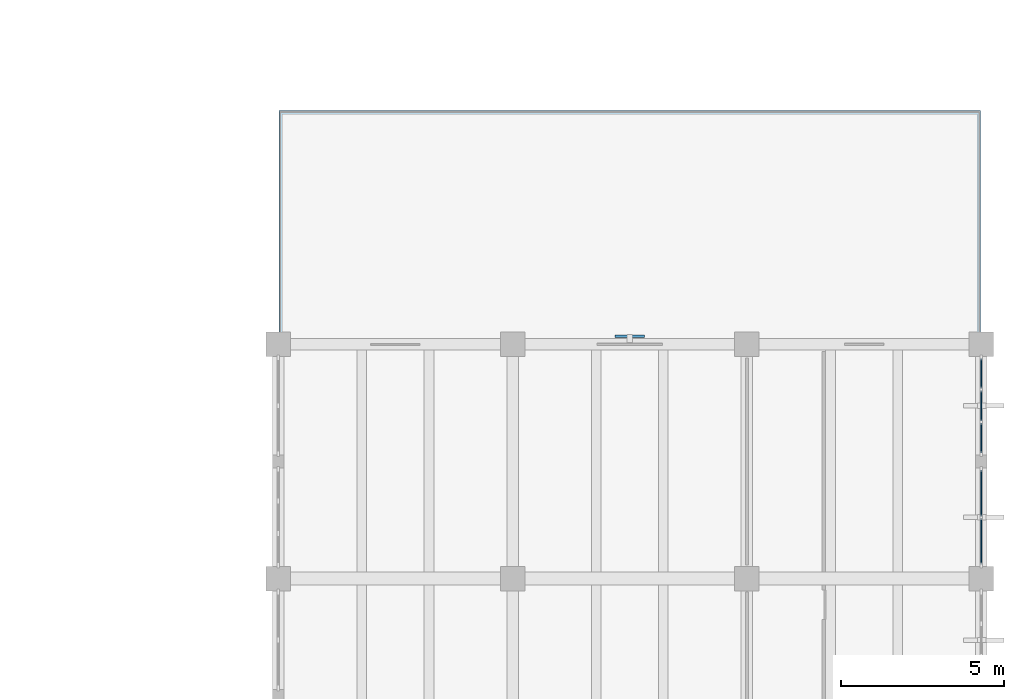
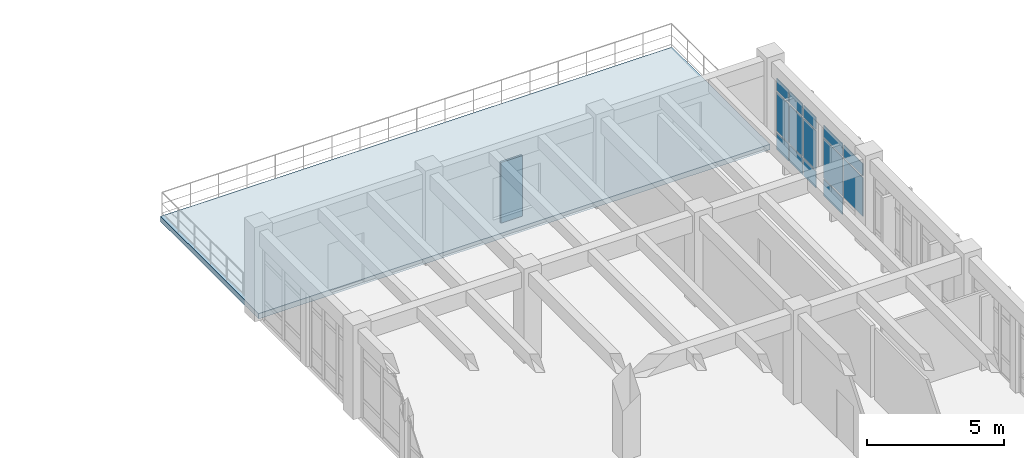
# One storey, part 93 of 136: 15 plates, 1 slab, 2 elements without a shape of their own.
"""IFC4 building model written with IfcOpenShell, lengths in metres."""

from ifc_helpers import new_model, si_unit, direction, frame, origin, origin_2d, place, context, subcontext, project, spatial, polyline, rectangle, outline, extrude, material, layer, layer_set, type_object, element, aggregate, save


model = new_model("IFC4")

# Units and contexts
model_context = context("Model", 3, precision=1e-05, world=origin(), true_north=direction((0.0, 1.0)))
body_context = subcontext(model_context, "Body", "Model", "MODEL_VIEW")
ifc_project = project(units=[si_unit("LENGTHUNIT", "METRE"), si_unit("AREAUNIT", "SQUARE_METRE"), si_unit("VOLUMEUNIT", "CUBIC_METRE"), si_unit("PLANEANGLEUNIT", "RADIAN"), si_unit("MASSUNIT", "GRAM", prefix="KILO")], contexts=[model_context])

# Site, building, storey
site_placement = place(None, origin())
site = spatial("IfcSite", under=ifc_project, at=site_placement, CompositionType="ELEMENT")
building_placement = place(site_placement, origin())
building = spatial("IfcBuilding", under=site, at=building_placement, Name="Koriwan Promenade Central Fire Station", CompositionType="ELEMENT")
storey_placement = place(building_placement, frame((0.0, 0.0, 5.39990234375)))
storey = spatial("IfcBuildingStorey", under=building, at=storey_placement, Name="L01", CompositionType="ELEMENT", Elevation=5.39990234375)

# Curtain wall, plates
ifc_material_1 = material(Name="Aluminium EN AW-6063-T6 and low-E glazing", Category="aluminium")
ifc_layer_1 = layer(ifc_material_1, 0.159912109375, Name="Aluminium EN AW-6063-T6 and low-E glazing")
ifc_layer_set_1 = layer_set([ifc_layer_1], Name="Aluminium EN AW-6063-T6 and low-E glazing")
curtain_wall_type_1 = type_object("IfcCurtainWallType", Name="CurtainWall_71_303x330", PredefinedType="USERDEFINED", material=ifc_layer_set_1)
curtain_wall_1_placement = place(storey_placement, origin())
curtain_wall_1 = element("IfcCurtainWall", 1, at=curtain_wall_1_placement, inside=storey, type_object=curtain_wall_type_1, Name="V5 L01 unitised curtain wall 189", ObjectType="UNITISED CURTAIN WALL", PredefinedType="USERDEFINED")
ifc_material_2 = material(Name="Solar-control low-E acoustic glazing", Category="glass")
ifc_layer_2 = layer(ifc_material_2, 0.031982421875, Name="Solar-control low-E acoustic glazing")
ifc_layer_set_2 = layer_set([ifc_layer_2], Name="Solar-control low-E acoustic glazing")
plate_type_1 = type_object("IfcPlateType", Name="CWPanel_32", PredefinedType="CURTAIN_PANEL", material=ifc_layer_set_2)
plate_1_placement = place(storey_placement, frame((172.800048828125, 71.10205078125, 0.0751953125), z_axis=(0.0, 0.0, 1.0), x_axis=(0.0, -1.0, 0.0)))
plate_1 = element("IfcPlate", 2, at=plate_1_placement, type_object=plate_type_1, Name="CW-71 panel 1.1", PredefinedType="CURTAIN_PANEL", context=body_context, shape_type="SweptSolid", body=[
    extrude(rectangle(XDim=0.895751953125, YDim=0.031982421875, at=origin_2d()), origin(), (0.0, 0.0, 1.0), 0.737548828125),
])
plate_2_placement = place(storey_placement, frame((172.800048828125, 71.10205078125, 0.887451171875), z_axis=(0.0, 0.0, 1.0), x_axis=(0.0, -1.0, 0.0)))
plate_2 = element("IfcPlate", 3, at=plate_2_placement, type_object=plate_type_1, Name="CW-71 panel 1.2", PredefinedType="CURTAIN_PANEL", context=body_context, shape_type="SweptSolid", body=[
    extrude(rectangle(XDim=0.895751953125, YDim=0.031982421875, at=origin_2d()), origin(), (0.0, 0.0, 1.0), 1.72509765625),
])
plate_3_placement = place(storey_placement, frame((172.800048828125, 71.10205078125, 2.6875), z_axis=(0.0, 0.0, 1.0), x_axis=(0.0, -1.0, 0.0)))
plate_3 = element("IfcPlate", 4, at=plate_3_placement, type_object=plate_type_1, Name="CW-71 panel 1.3", PredefinedType="CURTAIN_PANEL", context=body_context, shape_type="SweptSolid", body=[
    extrude(rectangle(XDim=0.895751953125, YDim=0.031982421875, at=origin_2d()), origin(), (0.0, 0.0, 1.0), 0.53759765625),
])
plate_4_placement = place(storey_placement, frame((172.800048828125, 70.112548828125, 0.0751953125), z_axis=(0.0, 0.0, 1.0), x_axis=(0.0, -1.0, 0.0)))
plate_4 = element("IfcPlate", 5, at=plate_4_placement, type_object=plate_type_1, Name="CW-71 panel 2.1", PredefinedType="CURTAIN_PANEL", context=body_context, shape_type="SweptSolid", body=[
    extrude(rectangle(XDim=0.933349609375, YDim=0.031982421875, at=origin_2d()), origin(), (0.0, 0.0, 1.0), 0.737548828125),
])
plate_5_placement = place(storey_placement, frame((172.800048828125, 70.112548828125, 0.887451171875), z_axis=(0.0, 0.0, 1.0), x_axis=(0.0, -1.0, 0.0)))
plate_5 = element("IfcPlate", 6, at=plate_5_placement, type_object=plate_type_1, Name="CW-71 panel 2.2", PredefinedType="CURTAIN_PANEL", context=body_context, shape_type="SweptSolid", body=[
    extrude(rectangle(XDim=0.933349609375, YDim=0.031982421875, at=origin_2d()), origin(), (0.0, 0.0, 1.0), 1.72509765625),
])
plate_6_placement = place(storey_placement, frame((172.800048828125, 70.112548828125, 2.6875), z_axis=(0.0, 0.0, 1.0), x_axis=(0.0, -1.0, 0.0)))
plate_6 = element("IfcPlate", 7, at=plate_6_placement, type_object=plate_type_1, Name="CW-71 panel 2.3", PredefinedType="CURTAIN_PANEL", context=body_context, shape_type="SweptSolid", body=[
    extrude(rectangle(XDim=0.933349609375, YDim=0.031982421875, at=origin_2d()), origin(), (0.0, 0.0, 1.0), 0.53759765625),
])
plate_7_placement = place(storey_placement, frame((172.800048828125, 69.122802734375, 0.0751953125), z_axis=(0.0, 0.0, 1.0), x_axis=(0.0, -1.0, 0.0)))
plate_7 = element("IfcPlate", 8, at=plate_7_placement, type_object=plate_type_1, Name="CW-71 panel 3.1", PredefinedType="CURTAIN_PANEL", context=body_context, shape_type="SweptSolid", body=[
    extrude(rectangle(XDim=0.895751953125, YDim=0.031982421875, at=origin_2d()), origin(), (0.0, 0.0, 1.0), 0.737548828125),
])
plate_8_placement = place(storey_placement, frame((172.800048828125, 69.122802734375, 0.887451171875), z_axis=(0.0, 0.0, 1.0), x_axis=(0.0, -1.0, 0.0)))
plate_8 = element("IfcPlate", 9, at=plate_8_placement, type_object=plate_type_1, Name="CW-71 panel 3.2", PredefinedType="CURTAIN_PANEL", context=body_context, shape_type="SweptSolid", body=[
    extrude(rectangle(XDim=0.895751953125, YDim=0.031982421875, at=origin_2d()), origin(), (0.0, 0.0, 1.0), 1.72509765625),
])
plate_9_placement = place(storey_placement, frame((172.800048828125, 69.122802734375, 2.6875), z_axis=(0.0, 0.0, 1.0), x_axis=(0.0, -1.0, 0.0)))
plate_9 = element("IfcPlate", 10, at=plate_9_placement, type_object=plate_type_1, Name="CW-71 panel 3.3", PredefinedType="CURTAIN_PANEL", context=body_context, shape_type="SweptSolid", body=[
    extrude(rectangle(XDim=0.895751953125, YDim=0.031982421875, at=origin_2d()), origin(), (0.0, 0.0, 1.0), 0.53759765625),
])
aggregate(curtain_wall_1, [plate_1, plate_2, plate_3, plate_4, plate_5, plate_6, plate_7, plate_8, plate_9])

ifc_layer_3 = layer(ifc_material_1, 0.159912109375, Name="Aluminium EN AW-6063-T6 and low-E glazing")
ifc_layer_set_3 = layer_set([ifc_layer_3], Name="Aluminium EN AW-6063-T6 and low-E glazing")
curtain_wall_type_2 = type_object("IfcCurtainWallType", Name="CurtainWall_72_303x330", PredefinedType="USERDEFINED", material=ifc_layer_set_3)
curtain_wall_2_placement = place(storey_placement, origin())
curtain_wall_2 = element("IfcCurtainWall", 11, at=curtain_wall_2_placement, inside=storey, type_object=curtain_wall_type_2, Name="V5 L01 unitised curtain wall 190", ObjectType="UNITISED CURTAIN WALL", PredefinedType="USERDEFINED")
plate_10_placement = place(storey_placement, frame((172.800048828125, 67.425048828125, 0.0751953125), z_axis=(0.0, 0.0, 1.0), x_axis=(0.0, -1.0, 0.0)))
plate_10 = element("IfcPlate", 12, at=plate_10_placement, type_object=plate_type_1, Name="CW-72 panel 1.1", PredefinedType="CURTAIN_PANEL", context=body_context, shape_type="SweptSolid", body=[
    extrude(rectangle(XDim=1.39990234375, YDim=0.031982421875, at=origin_2d()), origin(), (0.0, 0.0, 1.0), 0.737548828125),
])
plate_11_placement = place(storey_placement, frame((172.800048828125, 67.425048828125, 0.887451171875), z_axis=(0.0, 0.0, 1.0), x_axis=(0.0, -1.0, 0.0)))
plate_11 = element("IfcPlate", 13, at=plate_11_placement, type_object=plate_type_1, Name="CW-72 panel 1.2", PredefinedType="CURTAIN_PANEL", context=body_context, shape_type="SweptSolid", body=[
    extrude(rectangle(XDim=1.39990234375, YDim=0.031982421875, at=origin_2d()), origin(), (0.0, 0.0, 1.0), 1.72509765625),
])
plate_12_placement = place(storey_placement, frame((172.800048828125, 67.425048828125, 2.6875), z_axis=(0.0, 0.0, 1.0), x_axis=(0.0, -1.0, 0.0)))
plate_12 = element("IfcPlate", 14, at=plate_12_placement, type_object=plate_type_1, Name="CW-72 panel 1.3", PredefinedType="CURTAIN_PANEL", context=body_context, shape_type="SweptSolid", body=[
    extrude(rectangle(XDim=1.39990234375, YDim=0.031982421875, at=origin_2d()), origin(), (0.0, 0.0, 1.0), 0.53759765625),
])
plate_13_placement = place(storey_placement, frame((172.800048828125, 65.949951171875, 0.887451171875), z_axis=(0.0, 0.0, 1.0), x_axis=(0.0, -1.0, 0.0)))
plate_13 = element("IfcPlate", 15, at=plate_13_placement, type_object=plate_type_1, Name="CW-72 panel 2.2", PredefinedType="CURTAIN_PANEL", context=body_context, shape_type="SweptSolid", body=[
    extrude(rectangle(XDim=1.39990234375, YDim=0.031982421875, at=origin_2d()), origin(), (0.0, 0.0, 1.0), 1.72509765625),
])
plate_14_placement = place(storey_placement, frame((172.800048828125, 65.949951171875, 2.6875), z_axis=(0.0, 0.0, 1.0), x_axis=(0.0, -1.0, 0.0)))
plate_14 = element("IfcPlate", 16, at=plate_14_placement, type_object=plate_type_1, Name="CW-72 panel 2.3", PredefinedType="CURTAIN_PANEL", context=body_context, shape_type="SweptSolid", body=[
    extrude(rectangle(XDim=1.39990234375, YDim=0.031982421875, at=origin_2d()), origin(), (0.0, 0.0, 1.0), 0.53759765625),
])
aggregate(curtain_wall_2, [plate_10, plate_11, plate_12, plate_13, plate_14])

# Plate
ifc_material_3 = material(Name="Precast concrete C40/50", Category="concrete")
ifc_layer_4 = layer(ifc_material_3, 0.080078125, Name="Precast concrete C40/50")
ifc_layer_set_4 = layer_set([ifc_layer_4], Name="Precast concrete C40/50")
plate_type_2 = type_object("IfcPlateType", Name="JaliScreen_JL-01", PredefinedType="USERDEFINED", material=ifc_layer_set_4)
plate_15_placement = place(storey_placement, frame((162.0, 72.25, 0.30029296875), z_axis=(0.0, 0.0, 1.0), x_axis=(1.0, 0.0, 0.0)))
element("IfcPlate", 17, at=plate_15_placement, inside=storey, type_object=plate_type_2, Name="V5 L01 Mughal jali screen 015", ObjectType="JALI SCREEN", PredefinedType="USERDEFINED", context=body_context, shape_type="SweptSolid", body=[
    extrude(rectangle(XDim=0.89990234375, YDim=0.080078125, at=origin_2d()), origin(), (0.0, 0.0, 1.0), 2.699951171875),
])

# Slab
ifc_material_4 = material(Name="Concrete C35/45", Category="concrete")
ifc_layer_5 = layer(ifc_material_4, 0.239990234375, Name="Concrete C35/45")
ifc_layer_set_5 = layer_set([ifc_layer_5], Name="Concrete C35/45")
slab_type = type_object("IfcSlabType", Name="TerraceSlab_240", PredefinedType="FLOOR", material=ifc_layer_set_5)
slab_placement = place(storey_placement, frame((0.0, 0.0, -0.239990234375)))
element("IfcSlab", 18, at=slab_placement, inside=storey, type_object=slab_type, Name="North Training Gallery Terrace (L01)", PredefinedType="FLOOR", context=body_context, shape_type="SweptSolid", body=[
    extrude(outline(polyline([(172.780029296875, 72.02001953125), (151.219970703125, 72.02001953125), (151.219970703125, 79.179931640625), (172.780029296875, 79.179931640625), (172.780029296875, 72.02001953125)])), origin(), (0.0, 0.0, 1.0), 0.239990234375),
])

save(model, "model.ifc")
